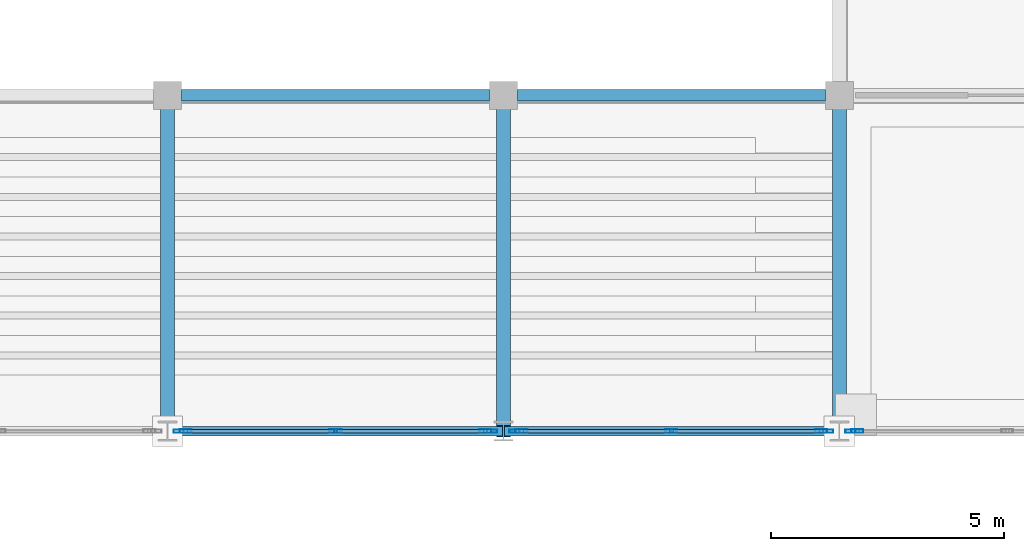
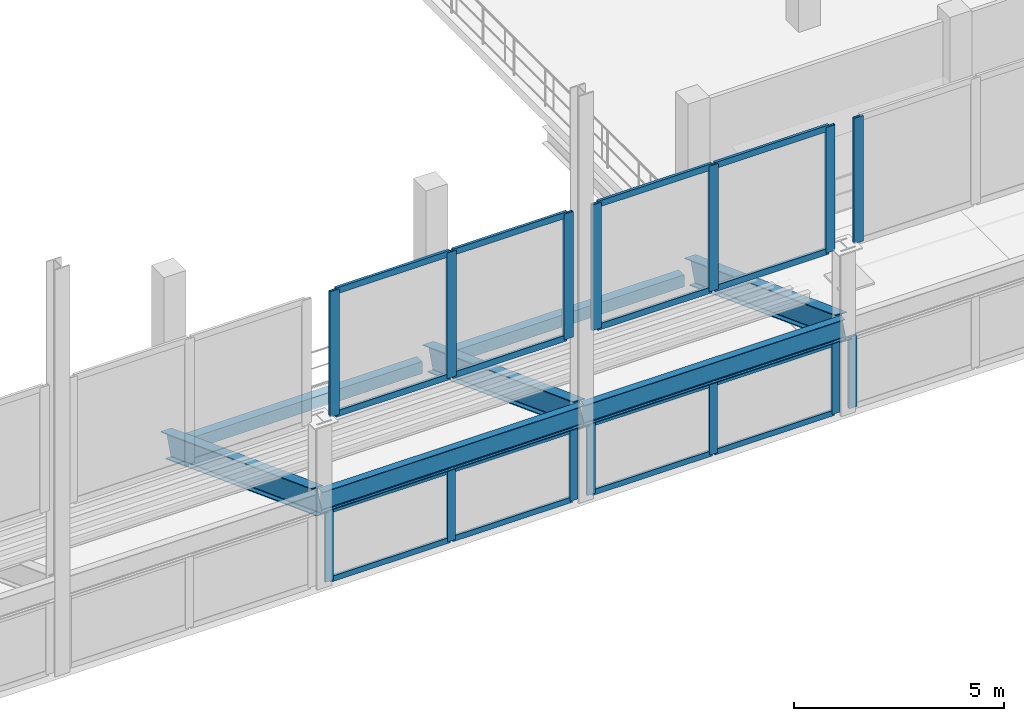
# One storey, part 28 of 120: 30 members, 7 beams, 6 elements without a shape of their own.
"""IFC4 building model written with IfcOpenShell, lengths in metres."""

from ifc_helpers import new_model, si_unit, direction, frame, origin, origin_2d, place, context, subcontext, project, spatial, hollow_rectangle, i_section, extrude, material, material_profile, profile_set, type_object, element, aggregate, save


model = new_model("IFC4")

# Units and contexts
model_context = context("Model", 3, precision=1e-05, world=origin(), true_north=direction((0.0, 1.0)))
body_context = subcontext(model_context, "Body", "Model", "MODEL_VIEW")
ifc_project = project(units=[si_unit("LENGTHUNIT", "METRE"), si_unit("AREAUNIT", "SQUARE_METRE"), si_unit("VOLUMEUNIT", "CUBIC_METRE"), si_unit("PLANEANGLEUNIT", "RADIAN"), si_unit("MASSUNIT", "GRAM", prefix="KILO")], contexts=[model_context])

# Site, building, storey
site_placement = place(None, origin())
site = spatial("IfcSite", under=ifc_project, at=site_placement, CompositionType="ELEMENT")
building_placement = place(site_placement, origin())
building = spatial("IfcBuilding", under=site, at=building_placement, Name="Vesperath Aquatics Centre", CompositionType="ELEMENT")
storey_placement = place(building_placement, frame((0.0, 0.0, 10.199951171875)))
storey = spatial("IfcBuildingStorey", under=building, at=storey_placement, Name="L02", CompositionType="ELEMENT", Elevation=10.199951171875)

# Beams
ifc_material_1 = material(Name="Steel Q355D", Category="steel")
ifc_material_profile_1 = material_profile(ifc_material_1, i_section(OverallWidth=0.300048828125, OverallDepth=0.699951171875, WebThickness=0.012939453125, FlangeThickness=0.02392578125, FilletRadius=0.028076171875, at=origin_2d()), Name="HN 700x300x13x24")
ifc_profile_set_1 = profile_set([ifc_material_profile_1], Name="Steel Q355D")
beam_type_1 = type_object("IfcBeamType", Name="BM-RK02", PredefinedType="USERDEFINED", material=ifc_profile_set_1)
for number, where, z_axis, x_axis, name in (
    (1, (72.0, 21.60009765625, -0.300048828125), (0.0, -0.93632395855, 0.351137358659), (1.0, 0.0, 0.0), "Upper Stand RAKER Beam RK02 South 11"),
    (2, (79.199951171875, 21.60009765625, -0.300048828125), (0.0, -0.93632395855, 0.351137358659), (1.0, 0.0, 0.0), "Upper Stand RAKER Beam RK02 South 12"),
    (3, (86.39990234375, 21.60009765625, -0.300048828125), (0.0, -0.93632395855, 0.351137358659), (1.0, 0.0, 0.0), "Upper Stand RAKER Beam RK02 South 13"),
):
    element("IfcBeam", number, at=place(storey_placement, frame(where, z_axis=z_axis, x_axis=x_axis)), inside=storey, type_object=beam_type_1, Name=name, ObjectType="RAKER", PredefinedType="USERDEFINED", context=body_context, shape_type="SweptSolid", body=[
        extrude(i_section(OverallWidth=0.300048828125, OverallDepth=0.699951171875, WebThickness=0.012939453125, FlangeThickness=0.02392578125, FilletRadius=0.028076171875, at=origin_2d()), origin(), (0.0, 0.0, 1.0), 7.68994140625),
    ])
ifc_material_profile_2 = material_profile(ifc_material_1, i_section(OverallWidth=0.199951171875, OverallDepth=0.60009765625, WebThickness=0.010986328125, FlangeThickness=0.01708984375, FilletRadius=0.02197265625, at=origin_2d()), Name="HN 600x200x11x17")
ifc_profile_set_2 = profile_set([ifc_material_profile_2], Name="Steel Q355D")
beam_type_2 = type_object("IfcBeamType", Name="BM-RKH1", PredefinedType="BEAM", material=ifc_profile_set_2)
for number, where, z_axis, x_axis, name in (
    (4, (72.02001953125, 14.39990234375, 2.400146484375), (1.0, 0.0, 0.0), (0.0, 1.0, 0.0), "Upper Bowl Rim Girder RKH1 South 11-12"),
    (5, (79.219970703125, 14.39990234375, 2.400146484375), (1.0, 0.0, 0.0), (0.0, 1.0, 0.0), "Upper Bowl Rim Girder RKH1 South 12-13"),
):
    element("IfcBeam", number, at=place(storey_placement, frame(where, z_axis=z_axis, x_axis=x_axis)), inside=storey, type_object=beam_type_2, Name=name, PredefinedType="BEAM", context=body_context, shape_type="SweptSolid", body=[
        extrude(i_section(OverallWidth=0.199951171875, OverallDepth=0.60009765625, WebThickness=0.010986328125, FlangeThickness=0.01708984375, FilletRadius=0.02197265625, at=origin_2d()), origin(), (0.0, 0.0, 1.0), 7.159912109375),
    ])
ifc_material_profile_3 = material_profile(ifc_material_1, hollow_rectangle(XDim=0.25, YDim=0.35009765625, WallThickness=0.011962890625, at=origin_2d()), Name="RHS 350x250x12")
ifc_profile_set_3 = profile_set([ifc_material_profile_3], Name="Steel Q355D")
beam_type_3 = type_object("IfcBeamType", Name="BM-SP02", PredefinedType="SPANDREL", material=ifc_profile_set_3)
beam_1_placement = place(storey_placement, frame((72.300048828125, 21.60009765625, -0.43505859375), z_axis=(1.0, 0.0, 0.0), x_axis=(0.0, 1.0, 0.0)))
element("IfcBeam", 6, at=beam_1_placement, inside=storey, type_object=beam_type_3, Name="Floor Girder SP02 L02 D 11-12", PredefinedType="SPANDREL", context=body_context, shape_type="SweptSolid", body=[
    extrude(hollow_rectangle(XDim=0.25, YDim=0.35009765625, WallThickness=0.011962890625, at=origin_2d()), origin(), (0.0, 0.0, 1.0), 6.599853515625),
])
beam_2_placement = place(storey_placement, frame((79.5, 21.60009765625, -0.43505859375), z_axis=(1.0, 0.0, 0.0), x_axis=(0.0, 1.0, 0.0)))
element("IfcBeam", 7, at=beam_2_placement, inside=storey, type_object=beam_type_3, Name="Floor Girder SP02 L02 D 12-13", PredefinedType="SPANDREL", context=body_context, shape_type="SweptSolid", body=[
    extrude(hollow_rectangle(XDim=0.25, YDim=0.35009765625, WallThickness=0.011962890625, at=origin_2d()), origin(), (0.0, 0.0, 1.0), 6.60009765625),
])

# Curtain wall, members
ifc_material_2 = material(Name="Thermally broken anodised bronze aluminium curtain wall", Category="aluminium")
curtain_wall_type_1 = type_object("IfcCurtainWallType", Name="CW-08", PredefinedType="NOTDEFINED", material=ifc_material_2)
curtain_wall_1_placement = place(storey_placement, origin())
curtain_wall_1 = element("IfcCurtainWall", 8, at=curtain_wall_1_placement, inside=storey, type_object=curtain_wall_type_1, Name="Natatorium Gable West Curtain Wall CW08 S-6W", PredefinedType="NOTDEFINED")
ifc_material_3 = material(Name="Thermally broken anodised aluminium", Category="aluminium")
ifc_material_profile_4 = material_profile(ifc_material_3, hollow_rectangle(XDim=0.074951171875, YDim=0.260009765625, WallThickness=0.006103515625, at=origin_2d()), Name="CWM 75x260x6")
ifc_profile_set_4 = profile_set([ifc_material_profile_4], Name="Thermally broken anodised aluminium")
member_type_1 = type_object("IfcMemberType", Name="MB-CWM1", PredefinedType="MULLION", material=ifc_profile_set_4)
member_1_placement = place(storey_placement, frame((72.387451171875, 14.39990234375, 4.75), z_axis=(0.0, 0.0, 1.0), x_axis=(0.0, 1.0, 0.0)))
member_1 = element("IfcMember", 9, at=member_1_placement, type_object=member_type_1, Name="CW08 mullion 1", PredefinedType="MULLION", context=body_context, shape_type="SweptSolid", body=[
    extrude(hollow_rectangle(XDim=0.074951171875, YDim=0.260009765625, WallThickness=0.006103515625, at=origin_2d()), origin(), (0.0, 0.0, 1.0), 3.650146484375),
])
member_2_placement = place(storey_placement, frame((75.60009765625, 14.39990234375, 4.75), z_axis=(0.0, 0.0, 1.0), x_axis=(0.0, 1.0, 0.0)))
member_2 = element("IfcMember", 10, at=member_2_placement, type_object=member_type_1, Name="CW08 mullion 2", PredefinedType="MULLION", context=body_context, shape_type="SweptSolid", body=[
    extrude(hollow_rectangle(XDim=0.074951171875, YDim=0.260009765625, WallThickness=0.006103515625, at=origin_2d()), origin(), (0.0, 0.0, 1.0), 3.650146484375),
])
member_3_placement = place(storey_placement, frame((78.8125, 14.39990234375, 4.75), z_axis=(0.0, 0.0, 1.0), x_axis=(0.0, 1.0, 0.0)))
member_3 = element("IfcMember", 11, at=member_3_placement, type_object=member_type_1, Name="CW08 mullion 3", PredefinedType="MULLION", context=body_context, shape_type="SweptSolid", body=[
    extrude(hollow_rectangle(XDim=0.074951171875, YDim=0.260009765625, WallThickness=0.006103515625, at=origin_2d()), origin(), (0.0, 0.0, 1.0), 3.650146484375),
])

curtain_wall_2_placement = place(storey_placement, origin())
curtain_wall_2 = element("IfcCurtainWall", 12, at=curtain_wall_2_placement, inside=storey, type_object=curtain_wall_type_1, Name="Natatorium Gable East Curtain Wall CW08 S-6E", PredefinedType="NOTDEFINED")
member_4_placement = place(storey_placement, frame((79.58740234375, 14.39990234375, 4.75), z_axis=(0.0, 0.0, 1.0), x_axis=(0.0, 1.0, 0.0)))
member_4 = element("IfcMember", 13, at=member_4_placement, type_object=member_type_1, Name="CW08 mullion 1", PredefinedType="MULLION", context=body_context, shape_type="SweptSolid", body=[
    extrude(hollow_rectangle(XDim=0.074951171875, YDim=0.260009765625, WallThickness=0.006103515625, at=origin_2d()), origin(), (0.0, 0.0, 1.0), 3.650146484375),
])
member_5_placement = place(storey_placement, frame((82.800048828125, 14.39990234375, 4.75), z_axis=(0.0, 0.0, 1.0), x_axis=(0.0, 1.0, 0.0)))
member_5 = element("IfcMember", 14, at=member_5_placement, type_object=member_type_1, Name="CW08 mullion 2", PredefinedType="MULLION", context=body_context, shape_type="SweptSolid", body=[
    extrude(hollow_rectangle(XDim=0.074951171875, YDim=0.260009765625, WallThickness=0.006103515625, at=origin_2d()), origin(), (0.0, 0.0, 1.0), 3.650146484375),
])
member_6_placement = place(storey_placement, frame((86.012451171875, 14.39990234375, 4.75), z_axis=(0.0, 0.0, 1.0), x_axis=(0.0, 1.0, 0.0)))
member_6 = element("IfcMember", 15, at=member_6_placement, type_object=member_type_1, Name="CW08 mullion 3", PredefinedType="MULLION", context=body_context, shape_type="SweptSolid", body=[
    extrude(hollow_rectangle(XDim=0.074951171875, YDim=0.260009765625, WallThickness=0.006103515625, at=origin_2d()), origin(), (0.0, 0.0, 1.0), 3.650146484375),
])

# Curtain wall, member
curtain_wall_3_placement = place(storey_placement, origin())
curtain_wall_3 = element("IfcCurtainWall", 16, at=curtain_wall_3_placement, inside=storey, type_object=curtain_wall_type_1, Name="Natatorium Gable West Curtain Wall CW08 S-7W", PredefinedType="NOTDEFINED")
member_7_placement = place(storey_placement, frame((86.78759765625, 14.39990234375, 4.75), z_axis=(0.0, 0.0, 1.0), x_axis=(0.0, 1.0, 0.0)))
member_7 = element("IfcMember", 17, at=member_7_placement, type_object=member_type_1, Name="CW08 mullion 1", PredefinedType="MULLION", context=body_context, shape_type="SweptSolid", body=[
    extrude(hollow_rectangle(XDim=0.074951171875, YDim=0.260009765625, WallThickness=0.006103515625, at=origin_2d()), origin(), (0.0, 0.0, 1.0), 3.650146484375),
])
aggregate(curtain_wall_3, [member_7])

# Curtain wall, members
curtain_wall_type_2 = type_object("IfcCurtainWallType", Name="CW-06", PredefinedType="NOTDEFINED", material=ifc_material_2)
curtain_wall_4_placement = place(storey_placement, origin())
curtain_wall_4 = element("IfcCurtainWall", 18, at=curtain_wall_4_placement, inside=storey, type_object=curtain_wall_type_2, Name="Facade Curtain Wall CW06 L02_S_10_02", PredefinedType="NOTDEFINED")
ifc_material_profile_5 = material_profile(ifc_material_3, hollow_rectangle(XDim=0.070068359375, YDim=0.219970703125, WallThickness=0.0048828125, at=origin_2d()), Name="CWM 70x220x5")
ifc_profile_set_5 = profile_set([ifc_material_profile_5], Name="Thermally broken anodised aluminium")
member_type_2 = type_object("IfcMemberType", Name="MB-CWM2", PredefinedType="MULLION", material=ifc_profile_set_5)
member_8_placement = place(storey_placement, frame((72.238525390625, 14.39990234375, 0.0), z_axis=(0.0, 0.0, 1.0), x_axis=(0.0, 1.0, 0.0)))
member_8 = element("IfcMember", 19, at=member_8_placement, type_object=member_type_2, Name="CW06 mullion 1", PredefinedType="MULLION", context=body_context, shape_type="SweptSolid", body=[
    extrude(hollow_rectangle(XDim=0.070068359375, YDim=0.219970703125, WallThickness=0.0048828125, at=origin_2d()), origin(), (0.0, 0.0, 1.0), 2.080078125),
])
member_9_placement = place(storey_placement, frame((75.60009765625, 14.39990234375, 0.0), z_axis=(0.0, 0.0, 1.0), x_axis=(0.0, 1.0, 0.0)))
member_9 = element("IfcMember", 20, at=member_9_placement, type_object=member_type_2, Name="CW06 mullion 2", PredefinedType="MULLION", context=body_context, shape_type="SweptSolid", body=[
    extrude(hollow_rectangle(XDim=0.070068359375, YDim=0.219970703125, WallThickness=0.0048828125, at=origin_2d()), origin(), (0.0, 0.0, 1.0), 2.080078125),
])
member_10_placement = place(storey_placement, frame((78.96142578125, 14.39990234375, 0.0), z_axis=(0.0, 0.0, 1.0), x_axis=(0.0, 1.0, 0.0)))
member_10 = element("IfcMember", 21, at=member_10_placement, type_object=member_type_2, Name="CW06 mullion 3", PredefinedType="MULLION", context=body_context, shape_type="SweptSolid", body=[
    extrude(hollow_rectangle(XDim=0.070068359375, YDim=0.219970703125, WallThickness=0.0048828125, at=origin_2d()), origin(), (0.0, 0.0, 1.0), 2.080078125),
])

curtain_wall_5_placement = place(storey_placement, origin())
curtain_wall_5 = element("IfcCurtainWall", 22, at=curtain_wall_5_placement, inside=storey, type_object=curtain_wall_type_2, Name="Facade Curtain Wall CW06 L02_S_11_02", PredefinedType="NOTDEFINED")
member_11_placement = place(storey_placement, frame((79.4384765625, 14.39990234375, 0.0), z_axis=(0.0, 0.0, 1.0), x_axis=(0.0, 1.0, 0.0)))
member_11 = element("IfcMember", 23, at=member_11_placement, type_object=member_type_2, Name="CW06 mullion 1", PredefinedType="MULLION", context=body_context, shape_type="SweptSolid", body=[
    extrude(hollow_rectangle(XDim=0.070068359375, YDim=0.219970703125, WallThickness=0.0048828125, at=origin_2d()), origin(), (0.0, 0.0, 1.0), 2.080078125),
])
member_12_placement = place(storey_placement, frame((82.800048828125, 14.39990234375, 0.0), z_axis=(0.0, 0.0, 1.0), x_axis=(0.0, 1.0, 0.0)))
member_12 = element("IfcMember", 24, at=member_12_placement, type_object=member_type_2, Name="CW06 mullion 2", PredefinedType="MULLION", context=body_context, shape_type="SweptSolid", body=[
    extrude(hollow_rectangle(XDim=0.070068359375, YDim=0.219970703125, WallThickness=0.0048828125, at=origin_2d()), origin(), (0.0, 0.0, 1.0), 2.080078125),
])
member_13_placement = place(storey_placement, frame((86.16162109375, 14.39990234375, 0.0), z_axis=(0.0, 0.0, 1.0), x_axis=(0.0, 1.0, 0.0)))
member_13 = element("IfcMember", 25, at=member_13_placement, type_object=member_type_2, Name="CW06 mullion 3", PredefinedType="MULLION", context=body_context, shape_type="SweptSolid", body=[
    extrude(hollow_rectangle(XDim=0.070068359375, YDim=0.219970703125, WallThickness=0.0048828125, at=origin_2d()), origin(), (0.0, 0.0, 1.0), 2.080078125),
])

# Curtain wall, member
curtain_wall_6_placement = place(storey_placement, origin())
curtain_wall_6 = element("IfcCurtainWall", 26, at=curtain_wall_6_placement, inside=storey, type_object=curtain_wall_type_2, Name="Facade Curtain Wall CW06 L02_S_12_02", PredefinedType="NOTDEFINED")
member_14_placement = place(storey_placement, frame((86.638427734375, 14.39990234375, 0.0), z_axis=(0.0, 0.0, 1.0), x_axis=(0.0, 1.0, 0.0)))
member_14 = element("IfcMember", 27, at=member_14_placement, type_object=member_type_2, Name="CW06 mullion 1", PredefinedType="MULLION", context=body_context, shape_type="SweptSolid", body=[
    extrude(hollow_rectangle(XDim=0.070068359375, YDim=0.219970703125, WallThickness=0.0048828125, at=origin_2d()), origin(), (0.0, 0.0, 1.0), 2.080078125),
])
aggregate(curtain_wall_6, [member_14])

# Member
ifc_material_profile_6 = material_profile(ifc_material_3, hollow_rectangle(XDim=0.074951171875, YDim=0.179931640625, WallThickness=0.0048828125, at=origin_2d()), Name="CWT 75x180x5")
ifc_profile_set_6 = profile_set([ifc_material_profile_6], Name="Thermally broken anodised aluminium")
member_type_3 = type_object("IfcMemberType", Name="MB-CWT1", PredefinedType="USERDEFINED", material=ifc_profile_set_6)
member_15_placement = place(storey_placement, frame((72.425048828125, 14.39990234375, 4.78759765625), z_axis=(1.0, 0.0, 0.0), x_axis=(0.0, 1.0, 0.0)))
member_15 = element("IfcMember", 28, at=member_15_placement, type_object=member_type_3, Name="CW08 transom 1.1", ObjectType="TRANSOM", PredefinedType="USERDEFINED", context=body_context, shape_type="SweptSolid", body=[
    extrude(hollow_rectangle(XDim=0.074951171875, YDim=0.179931640625, WallThickness=0.0048828125, at=origin_2d()), origin(), (0.0, 0.0, 1.0), 3.137451171875),
])

member_16_placement = place(storey_placement, frame((72.425048828125, 14.39990234375, 8.362548828125), z_axis=(1.0, 0.0, 0.0), x_axis=(0.0, 1.0, 0.0)))
member_16 = element("IfcMember", 29, at=member_16_placement, type_object=member_type_3, Name="CW08 transom 1.2", ObjectType="TRANSOM", PredefinedType="USERDEFINED", context=body_context, shape_type="SweptSolid", body=[
    extrude(hollow_rectangle(XDim=0.074951171875, YDim=0.179931640625, WallThickness=0.0048828125, at=origin_2d()), origin(), (0.0, 0.0, 1.0), 3.137451171875),
])

member_17_placement = place(storey_placement, frame((75.637451171875, 14.39990234375, 4.78759765625), z_axis=(1.0, 0.0, 0.0), x_axis=(0.0, 1.0, 0.0)))
member_17 = element("IfcMember", 30, at=member_17_placement, type_object=member_type_3, Name="CW08 transom 2.1", ObjectType="TRANSOM", PredefinedType="USERDEFINED", context=body_context, shape_type="SweptSolid", body=[
    extrude(hollow_rectangle(XDim=0.074951171875, YDim=0.179931640625, WallThickness=0.0048828125, at=origin_2d()), origin(), (0.0, 0.0, 1.0), 3.137451171875),
])

member_18_placement = place(storey_placement, frame((75.637451171875, 14.39990234375, 8.362548828125), z_axis=(1.0, 0.0, 0.0), x_axis=(0.0, 1.0, 0.0)))
member_18 = element("IfcMember", 31, at=member_18_placement, type_object=member_type_3, Name="CW08 transom 2.2", ObjectType="TRANSOM", PredefinedType="USERDEFINED", context=body_context, shape_type="SweptSolid", body=[
    extrude(hollow_rectangle(XDim=0.074951171875, YDim=0.179931640625, WallThickness=0.0048828125, at=origin_2d()), origin(), (0.0, 0.0, 1.0), 3.137451171875),
])

aggregate(curtain_wall_1, [member_1, member_2, member_3, member_15, member_16, member_17, member_18])

member_19_placement = place(storey_placement, frame((79.625, 14.39990234375, 4.78759765625), z_axis=(1.0, 0.0, 0.0), x_axis=(0.0, 1.0, 0.0)))
member_19 = element("IfcMember", 32, at=member_19_placement, type_object=member_type_3, Name="CW08 transom 1.1", ObjectType="TRANSOM", PredefinedType="USERDEFINED", context=body_context, shape_type="SweptSolid", body=[
    extrude(hollow_rectangle(XDim=0.074951171875, YDim=0.179931640625, WallThickness=0.0048828125, at=origin_2d()), origin(), (0.0, 0.0, 1.0), 3.137451171875),
])

member_20_placement = place(storey_placement, frame((79.625, 14.39990234375, 8.362548828125), z_axis=(1.0, 0.0, 0.0), x_axis=(0.0, 1.0, 0.0)))
member_20 = element("IfcMember", 33, at=member_20_placement, type_object=member_type_3, Name="CW08 transom 1.2", ObjectType="TRANSOM", PredefinedType="USERDEFINED", context=body_context, shape_type="SweptSolid", body=[
    extrude(hollow_rectangle(XDim=0.074951171875, YDim=0.179931640625, WallThickness=0.0048828125, at=origin_2d()), origin(), (0.0, 0.0, 1.0), 3.137451171875),
])

member_21_placement = place(storey_placement, frame((82.83740234375, 14.39990234375, 4.78759765625), z_axis=(1.0, 0.0, 0.0), x_axis=(0.0, 1.0, 0.0)))
member_21 = element("IfcMember", 34, at=member_21_placement, type_object=member_type_3, Name="CW08 transom 2.1", ObjectType="TRANSOM", PredefinedType="USERDEFINED", context=body_context, shape_type="SweptSolid", body=[
    extrude(hollow_rectangle(XDim=0.074951171875, YDim=0.179931640625, WallThickness=0.0048828125, at=origin_2d()), origin(), (0.0, 0.0, 1.0), 3.1376953125),
])

member_22_placement = place(storey_placement, frame((82.83740234375, 14.39990234375, 8.362548828125), z_axis=(1.0, 0.0, 0.0), x_axis=(0.0, 1.0, 0.0)))
member_22 = element("IfcMember", 35, at=member_22_placement, type_object=member_type_3, Name="CW08 transom 2.2", ObjectType="TRANSOM", PredefinedType="USERDEFINED", context=body_context, shape_type="SweptSolid", body=[
    extrude(hollow_rectangle(XDim=0.074951171875, YDim=0.179931640625, WallThickness=0.0048828125, at=origin_2d()), origin(), (0.0, 0.0, 1.0), 3.1376953125),
])

aggregate(curtain_wall_2, [member_4, member_5, member_6, member_19, member_20, member_21, member_22])

ifc_material_profile_7 = material_profile(ifc_material_3, hollow_rectangle(XDim=0.070068359375, YDim=0.159912109375, WallThickness=0.0048828125, at=origin_2d()), Name="CWT 70x160x5")
ifc_profile_set_7 = profile_set([ifc_material_profile_7], Name="Thermally broken anodised aluminium")
member_type_4 = type_object("IfcMemberType", Name="MB-CWT2", PredefinedType="USERDEFINED", material=ifc_profile_set_7)
member_23_placement = place(storey_placement, frame((72.2734375, 14.39990234375, 0.03515625), z_axis=(1.0, 0.0, 0.0), x_axis=(0.0, 1.0, 0.0)))
member_23 = element("IfcMember", 36, at=member_23_placement, type_object=member_type_4, Name="CW06 transom 1.1", ObjectType="TRANSOM", PredefinedType="USERDEFINED", context=body_context, shape_type="SweptSolid", body=[
    extrude(hollow_rectangle(XDim=0.070068359375, YDim=0.159912109375, WallThickness=0.0048828125, at=origin_2d()), origin(), (0.0, 0.0, 1.0), 3.29150390625),
])

member_24_placement = place(storey_placement, frame((72.2734375, 14.39990234375, 2.045166015625), z_axis=(1.0, 0.0, 0.0), x_axis=(0.0, 1.0, 0.0)))
member_24 = element("IfcMember", 37, at=member_24_placement, type_object=member_type_4, Name="CW06 transom 1.2", ObjectType="TRANSOM", PredefinedType="USERDEFINED", context=body_context, shape_type="SweptSolid", body=[
    extrude(hollow_rectangle(XDim=0.070068359375, YDim=0.159912109375, WallThickness=0.0048828125, at=origin_2d()), origin(), (0.0, 0.0, 1.0), 3.29150390625),
])

member_25_placement = place(storey_placement, frame((75.635009765625, 14.39990234375, 0.03515625), z_axis=(1.0, 0.0, 0.0), x_axis=(0.0, 1.0, 0.0)))
member_25 = element("IfcMember", 38, at=member_25_placement, type_object=member_type_4, Name="CW06 transom 2.1", ObjectType="TRANSOM", PredefinedType="USERDEFINED", context=body_context, shape_type="SweptSolid", body=[
    extrude(hollow_rectangle(XDim=0.070068359375, YDim=0.159912109375, WallThickness=0.0048828125, at=origin_2d()), origin(), (0.0, 0.0, 1.0), 3.29150390625),
])

member_26_placement = place(storey_placement, frame((75.635009765625, 14.39990234375, 2.045166015625), z_axis=(1.0, 0.0, 0.0), x_axis=(0.0, 1.0, 0.0)))
member_26 = element("IfcMember", 39, at=member_26_placement, type_object=member_type_4, Name="CW06 transom 2.2", ObjectType="TRANSOM", PredefinedType="USERDEFINED", context=body_context, shape_type="SweptSolid", body=[
    extrude(hollow_rectangle(XDim=0.070068359375, YDim=0.159912109375, WallThickness=0.0048828125, at=origin_2d()), origin(), (0.0, 0.0, 1.0), 3.29150390625),
])

aggregate(curtain_wall_4, [member_8, member_9, member_10, member_23, member_24, member_25, member_26])

member_27_placement = place(storey_placement, frame((79.473388671875, 14.39990234375, 0.03515625), z_axis=(1.0, 0.0, 0.0), x_axis=(0.0, 1.0, 0.0)))
member_27 = element("IfcMember", 40, at=member_27_placement, type_object=member_type_4, Name="CW06 transom 1.1", ObjectType="TRANSOM", PredefinedType="USERDEFINED", context=body_context, shape_type="SweptSolid", body=[
    extrude(hollow_rectangle(XDim=0.070068359375, YDim=0.159912109375, WallThickness=0.0048828125, at=origin_2d()), origin(), (0.0, 0.0, 1.0), 3.29150390625),
])

member_28_placement = place(storey_placement, frame((79.473388671875, 14.39990234375, 2.045166015625), z_axis=(1.0, 0.0, 0.0), x_axis=(0.0, 1.0, 0.0)))
member_28 = element("IfcMember", 41, at=member_28_placement, type_object=member_type_4, Name="CW06 transom 1.2", ObjectType="TRANSOM", PredefinedType="USERDEFINED", context=body_context, shape_type="SweptSolid", body=[
    extrude(hollow_rectangle(XDim=0.070068359375, YDim=0.159912109375, WallThickness=0.0048828125, at=origin_2d()), origin(), (0.0, 0.0, 1.0), 3.29150390625),
])

member_29_placement = place(storey_placement, frame((82.8349609375, 14.39990234375, 0.03515625), z_axis=(1.0, 0.0, 0.0), x_axis=(0.0, 1.0, 0.0)))
member_29 = element("IfcMember", 42, at=member_29_placement, type_object=member_type_4, Name="CW06 transom 2.1", ObjectType="TRANSOM", PredefinedType="USERDEFINED", context=body_context, shape_type="SweptSolid", body=[
    extrude(hollow_rectangle(XDim=0.070068359375, YDim=0.159912109375, WallThickness=0.0048828125, at=origin_2d()), origin(), (0.0, 0.0, 1.0), 3.29150390625),
])

member_30_placement = place(storey_placement, frame((82.8349609375, 14.39990234375, 2.045166015625), z_axis=(1.0, 0.0, 0.0), x_axis=(0.0, 1.0, 0.0)))
member_30 = element("IfcMember", 43, at=member_30_placement, type_object=member_type_4, Name="CW06 transom 2.2", ObjectType="TRANSOM", PredefinedType="USERDEFINED", context=body_context, shape_type="SweptSolid", body=[
    extrude(hollow_rectangle(XDim=0.070068359375, YDim=0.159912109375, WallThickness=0.0048828125, at=origin_2d()), origin(), (0.0, 0.0, 1.0), 3.29150390625),
])

aggregate(curtain_wall_5, [member_11, member_12, member_13, member_27, member_28, member_29, member_30])

save(model, "model.ifc")
